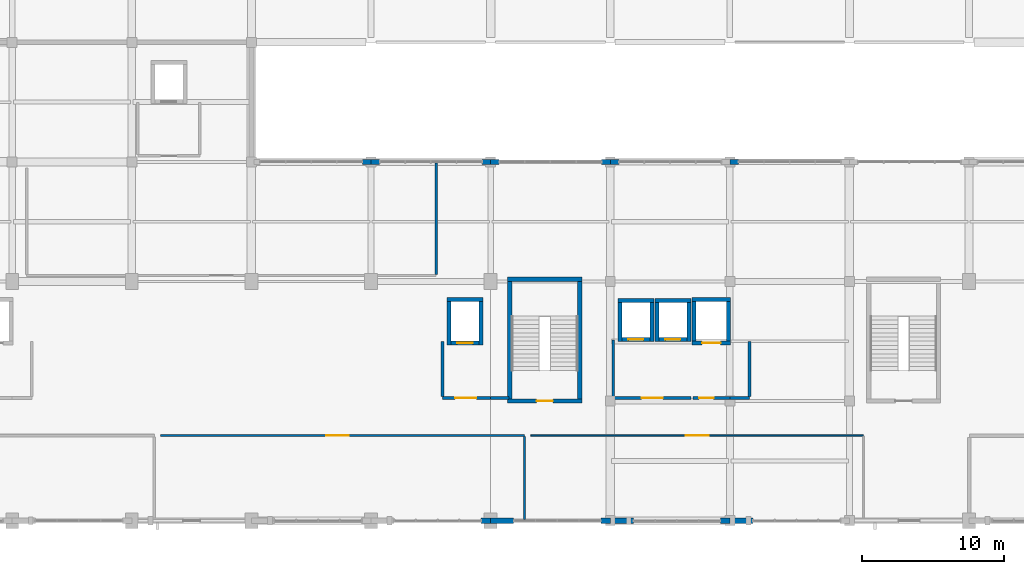
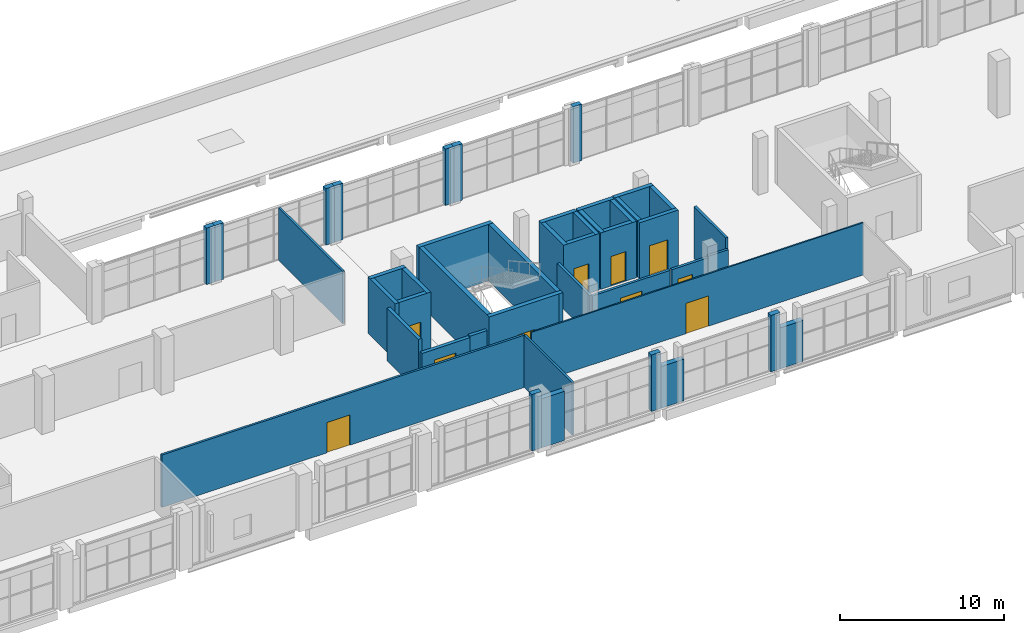
# One storey, part 54 of 64: 45 walls, 10 doors, 10 openings.
"""IFC4 building model written with IfcOpenShell, lengths in metres."""

from ifc_helpers import new_model, si_unit, derived_unit, direction, frame, frame_2d, origin, place, context, subcontext, project, spatial, rectangle, extrude, material, layer, layer_set, type_object, element, fill, save


model = new_model("IFC4")

# Units and contexts
model_context = context("Model", 3, precision=1e-05, world=origin(), true_north=direction((0.0, 1.0)))
body_context = subcontext(model_context, "Body", "Model", "MODEL_VIEW")
ifc_project = project(units=[si_unit("LENGTHUNIT", "METRE"), si_unit("AREAUNIT", "SQUARE_METRE"), si_unit("VOLUMEUNIT", "CUBIC_METRE"), si_unit("PLANEANGLEUNIT", "RADIAN"), si_unit("MASSUNIT", "GRAM", prefix="KILO"), derived_unit("THERMALTRANSMITTANCEUNIT", [(si_unit("POWERUNIT", "WATT"), 1), (si_unit("LENGTHUNIT", "METRE"), -2), (si_unit("THERMODYNAMICTEMPERATUREUNIT", "KELVIN"), -1)])], contexts=[model_context])

# Site, building, storey
site_placement = place(None, origin())
site = spatial("IfcSite", under=ifc_project, at=site_placement, CompositionType="ELEMENT")
building_placement = place(site_placement, origin())
building = spatial("IfcBuilding", under=site, at=building_placement, Name="Barrovel Congress Hotel", CompositionType="ELEMENT")
storey_placement = place(building_placement, frame((0.0, 0.0, 14.10009765625)))
storey = spatial("IfcBuildingStorey", under=building, at=storey_placement, Name="L03", CompositionType="ELEMENT", Elevation=14.10009765625)

# Walls
ifc_material_1 = material(Name="Fired Clay Brick Masonry", Category="masonry")
ifc_layer_1 = layer(ifc_material_1, 0.340087890625)
ifc_layer_set_1 = layer_set([ifc_layer_1], Name="Fired Clay Brick Masonry")
wall_type_1 = type_object("IfcWallType", Name="EW-BRK340", PredefinedType="STANDARD", material=ifc_layer_set_1)
for number, where, z_axis, x_axis, name in (
    (1, (93.0, 29.39990234375, 0.0), (0.0, 0.0, 1.0), (-1.0, 0.0, 0.0), "EW:L03:CSJ-L:11"),
    (2, (84.60009765625, 29.39990234375, 0.0), (0.0, 0.0, 1.0), (-1.0, 0.0, 0.0), "EW:L03:CSJ-L:10"),
    (3, (84.0, 29.39990234375, 0.0), (0.0, 0.0, 1.0), (-1.0, 0.0, 0.0), "EW:L03:CSJ-R:9"),
):
    element("IfcWall", number, at=place(storey_placement, frame(where, z_axis=z_axis, x_axis=x_axis)), inside=storey, type_object=wall_type_1, Name=name, PredefinedType="STANDARD", context=body_context, shape_type="SweptSolid", body=[
        extrude(rectangle(XDim=0.60009765625, YDim=0.340087890625, at=frame_2d((0.300048828125, 0.0))), origin(), (0.0, 0.0, 1.0), 4.199951171875),
    ])
wall_1_placement = place(storey_placement, frame((76.199951171875, 29.39990234375, 0.0), z_axis=(0.0, 0.0, 1.0), x_axis=(-1.0, 0.0, 0.0)))
element("IfcWall", 4, at=wall_1_placement, inside=storey, type_object=wall_type_1, Name="EW:L03:CSJ-L:9", PredefinedType="STANDARD", context=body_context, shape_type="SweptSolid", body=[
    extrude(rectangle(XDim=0.599853515625, YDim=0.340087890625, at=frame_2d((0.2998046875, 0.0))), origin(), (0.0, 0.0, 1.0), 4.199951171875),
])
for number, where, z_axis, x_axis, name in (
    (5, (75.60009765625, 29.39990234375, 0.0), (0.0, 0.0, 1.0), (-1.0, 0.0, 0.0), "EW:L03:CSJ-R:8"),
    (6, (67.800048828125, 29.39990234375, 0.0), (0.0, 0.0, 1.0), (-1.0, 0.0, 0.0), "EW:L03:CSJ-L:8"),
):
    element("IfcWall", number, at=place(storey_placement, frame(where, z_axis=z_axis, x_axis=x_axis)), inside=storey, type_object=wall_type_1, Name=name, PredefinedType="STANDARD", context=body_context, shape_type="SweptSolid", body=[
        extrude(rectangle(XDim=0.60009765625, YDim=0.340087890625, at=frame_2d((0.300048828125, 0.0))), origin(), (0.0, 0.0, 1.0), 4.199951171875),
    ])
wall_2_placement = place(storey_placement, frame((67.199951171875, 29.39990234375, 0.0), z_axis=(0.0, 0.0, 1.0), x_axis=(-1.0, 0.0, 0.0)))
element("IfcWall", 7, at=wall_2_placement, inside=storey, type_object=wall_type_1, Name="EW:L03:CSJ-R:7", PredefinedType="STANDARD", context=body_context, shape_type="SweptSolid", body=[
    extrude(rectangle(XDim=0.599853515625, YDim=0.340087890625, at=frame_2d((0.2998046875, 0.0))), origin(), (0.0, 0.0, 1.0), 4.199951171875),
])
ifc_layer_2 = layer(ifc_material_1, 0.360107421875)
ifc_layer_set_2 = layer_set([ifc_layer_2], Name="Fired Clay Brick Masonry")
wall_type_2 = type_object("IfcWallType", Name="EW-BRK360", PredefinedType="STANDARD", material=ifc_layer_set_2)
wall_3_placement = place(storey_placement, frame((74.93994140625, 4.199951171875, 0.0), z_axis=(0.0, 0.0, 1.0), x_axis=(1.0, 0.0, 0.0)))
element("IfcWall", 8, at=wall_3_placement, inside=storey, type_object=wall_type_2, Name="EW:L03:SJ-R:8", PredefinedType="STANDARD", context=body_context, shape_type="SweptSolid", body=[
    extrude(rectangle(XDim=0.66015625, YDim=0.360107421875, at=frame_2d((0.330078125, 0.0))), origin(), (0.0, 0.0, 1.0), 4.199951171875),
])
wall_4_placement = place(storey_placement, frame((75.60009765625, 4.199951171875, 0.0), z_axis=(0.0, 0.0, 1.0), x_axis=(1.0, 0.0, 0.0)))
element("IfcWall", 9, at=wall_4_placement, inside=storey, type_object=wall_type_2, Name="EW:L03:SJ-L:9", PredefinedType="STANDARD", context=body_context, shape_type="SweptSolid", body=[
    extrude(rectangle(XDim=1.619873046875, YDim=0.360107421875, at=frame_2d((0.81005859375, 0.0))), origin(), (0.0, 0.0, 1.0), 3.65283203125),
])
wall_5_placement = place(storey_placement, frame((83.340087890625, 4.199951171875, 0.0), z_axis=(0.0, 0.0, 1.0), x_axis=(1.0, 0.0, 0.0)))
element("IfcWall", 10, at=wall_5_placement, inside=storey, type_object=wall_type_2, Name="EW:L03:SJ-R:9", PredefinedType="STANDARD", context=body_context, shape_type="SweptSolid", body=[
    extrude(rectangle(XDim=0.659912109375, YDim=0.360107421875, at=frame_2d((0.330078125, 0.0))), origin(), (0.0, 0.0, 1.0), 4.199951171875),
])
wall_6_placement = place(storey_placement, frame((84.0, 4.199951171875, 0.0), z_axis=(0.0, 0.0, 1.0), x_axis=(1.0, 0.0, 0.0)))
element("IfcWall", 11, at=wall_6_placement, inside=storey, type_object=wall_type_2, Name="EW:L03:SJ-L:10", PredefinedType="STANDARD", context=body_context, shape_type="SweptSolid", body=[
    extrude(rectangle(XDim=1.6201171875, YDim=0.360107421875, at=frame_2d((0.81005859375, 0.0))), origin(), (0.0, 0.0, 1.0), 3.099853515625),
])
wall_7_placement = place(storey_placement, frame((91.739990234375, 4.199951171875, 0.0), z_axis=(0.0, 0.0, 1.0), x_axis=(1.0, 0.0, 0.0)))
element("IfcWall", 12, at=wall_7_placement, inside=storey, type_object=wall_type_2, Name="EW:L03:SJ-R:10", PredefinedType="STANDARD", context=body_context, shape_type="SweptSolid", body=[
    extrude(rectangle(XDim=0.659912109375, YDim=0.360107421875, at=frame_2d((0.330078125, 0.0))), origin(), (0.0, 0.0, 1.0), 4.199951171875),
])
wall_8_placement = place(storey_placement, frame((92.39990234375, 4.199951171875, 0.0), z_axis=(0.0, 0.0, 1.0), x_axis=(1.0, 0.0, 0.0)))
element("IfcWall", 13, at=wall_8_placement, inside=storey, type_object=wall_type_2, Name="EW:L03:SJ-L:11", PredefinedType="STANDARD", context=body_context, shape_type="SweptSolid", body=[
    extrude(rectangle(XDim=1.6201171875, YDim=0.360107421875, at=frame_2d((0.81005859375, 0.0))), origin(), (0.0, 0.0, 1.0), 3.0498046875),
])

# Wall, opening, door
ifc_material_2 = material(Name="Gypsum Acoustic Stud", Category="gypsum")
ifc_layer_3 = layer(ifc_material_2, 0.179931640625)
ifc_layer_set_3 = layer_set([ifc_layer_3], Name="Gypsum Acoustic Stud")
wall_type_3 = type_object("IfcWallType", Name="PW-ACU-180", PredefinedType="PARTITIONING", material=ifc_layer_set_3)
wall_9_placement = place(storey_placement, frame((84.219970703125, 12.820068359375, 0.0), z_axis=(0.0, 0.0, 1.0), x_axis=(1.0, 0.0, 0.0)))
wall_9 = element("IfcWall", 14, at=wall_9_placement, inside=storey, type_object=wall_type_3, Name="RW:SP:L03:LL-C2:S", PredefinedType="PARTITIONING", context=body_context, shape_type="SweptSolid", body=[
    extrude(rectangle(XDim=5.4599609375, YDim=0.179931640625, at=frame_2d((2.72998046875, 0.0))), origin(), (0.0, 0.0, 1.0), 3.0),
])
opening_1_placement = place(wall_9_placement, frame((1.97998046875, 0.0, 0.0)))
opening_1 = element("IfcOpeningElement", 15, at=opening_1_placement, cuts=wall_9, Name="Opening ID-FFL", PredefinedType="OPENING", context=body_context, shape_type="SweptSolid", body=[
    extrude(rectangle(XDim=1.5, YDim=2.14990234375, at=frame_2d((0.75, 1.074951171875))), frame((0.0, 0.10009765625, 0.0), z_axis=(0.0, -1.0, 0.0), x_axis=(1.0, 0.0, 0.0)), (0.0, 0.0, 1.0), 0.199951171875),
])
ifc_material_3 = material(Name="Painted Hollow-Metal Steel Door", Category="steel")
door_type_1 = type_object("IfcDoorType", Name="IDR-ID-FFL", OperationType="NOTDEFINED", PredefinedType="DOOR", material=ifc_material_3)
door_1_placement = place(opening_1_placement, origin())
door_1 = element("IfcDoor", 16, at=door_1_placement, inside=storey, type_object=door_type_1, Name="RD:SP:L03:LL-C2", OperationType="DOUBLE_DOOR_SINGLE_SWING", OverallHeight=2.14990234375, OverallWidth=1.5, PredefinedType="DOOR", context=body_context, shape_type="SweptSolid", body=[
    extrude(rectangle(XDim=1.5, YDim=2.14990234375, at=frame_2d((0.75, 1.074951171875))), frame((0.0, 0.02490234375, 0.0), z_axis=(0.0, -1.0, 0.0), x_axis=(1.0, 0.0, 0.0)), (0.0, 0.0, 1.0), 0.050048828125),
])
fill(opening_1, door_1)

# Wall
wall_10_placement = place(storey_placement, frame((84.219970703125, 12.909912109375, 0.0), z_axis=(0.0, 0.0, 1.0), x_axis=(0.0, 1.0, 0.0)))
element("IfcWall", 17, at=wall_10_placement, inside=storey, type_object=wall_type_3, Name="RW:SP:L03:LL-C2:W", PredefinedType="PARTITIONING", context=body_context, shape_type="SweptSolid", body=[
    extrude(rectangle(XDim=3.969970703125, YDim=0.179931640625, at=frame_2d((1.98486328125, 0.0))), origin(), (0.0, 0.0, 1.0), 2.949951171875),
])

# Wall, opening, door
wall_11_placement = place(storey_placement, frame((89.820068359375, 12.820068359375, 0.0), z_axis=(0.0, 0.0, 1.0), x_axis=(1.0, 0.0, 0.0)))
wall_11 = element("IfcWall", 18, at=wall_11_placement, inside=storey, type_object=wall_type_3, Name="RW:SP:L03:LL-SL2:S", PredefinedType="PARTITIONING", context=body_context, shape_type="SweptSolid", body=[
    extrude(rectangle(XDim=2.579833984375, YDim=0.179931640625, at=frame_2d((1.2900390625, 0.0))), origin(), (0.0, 0.0, 1.0), 3.0),
])
opening_2_placement = place(wall_11_placement, frame((0.419921875, 0.0, 0.0)))
opening_2 = element("IfcOpeningElement", 19, at=opening_2_placement, cuts=wall_11, Name="Opening ID-ACC", PredefinedType="OPENING", context=body_context, shape_type="SweptSolid", body=[
    extrude(rectangle(XDim=1.02001953125, YDim=2.14990234375, at=frame_2d((0.510009765625, 1.074951171875))), frame((0.0, 0.10009765625, 0.0), z_axis=(0.0, -1.0, 0.0), x_axis=(1.0, 0.0, 0.0)), (0.0, 0.0, 1.0), 0.199951171875),
])
ifc_material_4 = material(Name="Solid Oak Acoustic Timber Door", Category="wood")
door_type_2 = type_object("IfcDoorType", Name="IDR-ID-ACC", OperationType="NOTDEFINED", PredefinedType="DOOR", material=ifc_material_4)
door_2_placement = place(opening_2_placement, origin())
door_2 = element("IfcDoor", 20, at=door_2_placement, inside=storey, type_object=door_type_2, Name="RD:SP:L03:LL-SL2", OperationType="SINGLE_SWING_LEFT", OverallHeight=2.14990234375, OverallWidth=1.02001953125, PredefinedType="DOOR", context=body_context, shape_type="SweptSolid", body=[
    extrude(rectangle(XDim=1.02001953125, YDim=2.14990234375, at=frame_2d((0.510009765625, 1.074951171875))), frame((0.0, 0.02490234375, 0.0), z_axis=(0.0, -1.0, 0.0), x_axis=(1.0, 0.0, 0.0)), (0.0, 0.0, 1.0), 0.050048828125),
])
fill(opening_2, door_2)

# Walls
wall_12_placement = place(storey_placement, frame((93.780029296875, 12.909912109375, 0.0), z_axis=(0.0, 0.0, 1.0), x_axis=(0.0, 1.0, 0.0)))
element("IfcWall", 21, at=wall_12_placement, inside=storey, type_object=wall_type_3, Name="RW:SP:L03:LL-SL2:E", PredefinedType="PARTITIONING", context=body_context, shape_type="SweptSolid", body=[
    extrude(rectangle(XDim=3.8701171875, YDim=0.179931640625, at=frame_2d((1.93505859375, 0.0))), origin(), (0.0, 0.0, 1.0), 3.89501953125),
])
wall_13_placement = place(storey_placement, frame((92.39990234375, 12.820068359375, 0.0), z_axis=(0.0, 0.0, 1.0), x_axis=(1.0, 0.0, 0.0)))
element("IfcWall", 22, at=wall_13_placement, inside=storey, type_object=wall_type_3, Name="RW:SP:L03:LL-SL2:S:P02", PredefinedType="PARTITIONING", context=body_context, shape_type="SweptSolid", body=[
    extrude(rectangle(XDim=1.380126953125, YDim=0.179931640625, at=frame_2d((0.68994140625, 0.0))), origin(), (0.0, 0.0, 1.0), 3.099853515625),
])

# Wall, opening, door
ifc_layer_4 = layer(ifc_material_2, 0.10009765625)
ifc_layer_set_4 = layer_set([ifc_layer_4], Name="Gypsum Acoustic Stud")
wall_type_4 = type_object("IfcWallType", Name="PW-LGT-100", PredefinedType="PARTITIONING", material=ifc_layer_set_4)
wall_14_placement = place(storey_placement, frame((78.419921875, 10.179931640625, 0.0), z_axis=(0.0, 0.0, 1.0), x_axis=(1.0, 0.0, 0.0)))
wall_14 = element("IfcWall", 23, at=wall_14_placement, inside=storey, type_object=wall_type_4, Name="RW:SP:L03:EXEC-3:N", PredefinedType="PARTITIONING", context=body_context, shape_type="SweptSolid", body=[
    extrude(rectangle(XDim=23.360107421875, YDim=0.10009765625, at=frame_2d((11.68017578125, 0.0))), origin(), (0.0, 0.0, 1.0), 3.89501953125),
])
opening_3_placement = place(wall_14_placement, frame((10.8798828125, 0.0, 0.0)))
opening_3 = element("IfcOpeningElement", 24, at=opening_3_placement, cuts=wall_14, Name="Opening ID-MTG", PredefinedType="OPENING", context=body_context, shape_type="SweptSolid", body=[
    extrude(rectangle(XDim=1.60009765625, YDim=2.25, at=frame_2d((0.800048828125, 1.125))), frame((0.0, 0.06005859375, 0.0), z_axis=(0.0, -1.0, 0.0), x_axis=(1.0, 0.0, 0.0)), (0.0, 0.0, 1.0), 0.1201171875),
])
door_type_3 = type_object("IfcDoorType", Name="IDR-ID-MTG", OperationType="NOTDEFINED", PredefinedType="DOOR", material=ifc_material_4)
door_3_placement = place(opening_3_placement, origin())
door_3 = element("IfcDoor", 25, at=door_3_placement, inside=storey, type_object=door_type_3, Name="RD:SP:L03:EXEC-3", OperationType="DOUBLE_DOOR_SINGLE_SWING", OverallHeight=2.25, OverallWidth=1.60009765625, PredefinedType="DOOR", context=body_context, shape_type="SweptSolid", body=[
    extrude(rectangle(XDim=1.60009765625, YDim=2.25, at=frame_2d((0.800048828125, 1.125))), frame((0.0, 0.02490234375, 0.0), z_axis=(0.0, -1.0, 0.0), x_axis=(1.0, 0.0, 0.0)), (0.0, 0.0, 1.0), 0.050048828125),
])
fill(opening_3, door_3)

ifc_layer_5 = layer(ifc_material_1, 0.239990234375)
ifc_layer_set_5 = layer_set([ifc_layer_5], Name="Fired Clay Brick Masonry")
wall_type_5 = type_object("IfcWallType", Name="PW-MAS-240", PredefinedType="PARTITIONING", material=ifc_layer_set_5)
wall_15_placement = place(storey_placement, frame((72.219970703125, 12.820068359375, 0.0), z_axis=(0.0, 0.0, 1.0), x_axis=(1.0, 0.0, 0.0)))
wall_15 = element("IfcWall", 26, at=wall_15_placement, inside=storey, type_object=wall_type_5, Name="RW:SP:L03:FFL-2:S", PredefinedType="PARTITIONING", context=body_context, shape_type="SweptSolid", body=[
    extrude(rectangle(XDim=3.380126953125, YDim=0.239990234375, at=frame_2d((1.68994140625, 0.0))), origin(), (0.0, 0.0, 1.0), 2.949951171875),
])
opening_4_placement = place(wall_15_placement, frame((0.8798828125, 0.0, 0.0)))
opening_4 = element("IfcOpeningElement", 27, at=opening_4_placement, cuts=wall_15, Name="Opening ID-FFL", PredefinedType="OPENING", context=body_context, shape_type="SweptSolid", body=[
    extrude(rectangle(XDim=1.5, YDim=2.14990234375, at=frame_2d((0.75, 1.074951171875))), frame((0.0, 0.1298828125, 0.0), z_axis=(0.0, -1.0, 0.0), x_axis=(1.0, 0.0, 0.0)), (0.0, 0.0, 1.0), 0.260009765625),
])
door_4_placement = place(opening_4_placement, origin())
door_4 = element("IfcDoor", 28, at=door_4_placement, inside=storey, type_object=door_type_1, Name="RD:SP:L03:FFL-2", OperationType="DOUBLE_DOOR_SINGLE_SWING", OverallHeight=2.14990234375, OverallWidth=1.5, PredefinedType="DOOR", context=body_context, shape_type="SweptSolid", body=[
    extrude(rectangle(XDim=1.5, YDim=2.14990234375, at=frame_2d((0.75, 1.074951171875))), frame((0.0, 0.02490234375, 0.0), z_axis=(0.0, -1.0, 0.0), x_axis=(1.0, 0.0, 0.0)), (0.0, 0.0, 1.0), 0.050048828125),
])
fill(opening_4, door_4)

# Walls
wall_16_placement = place(storey_placement, frame((72.219970703125, 12.93994140625, 0.0), z_axis=(0.0, 0.0, 1.0), x_axis=(0.0, 1.0, 0.0)))
element("IfcWall", 29, at=wall_16_placement, inside=storey, type_object=wall_type_5, Name="RW:SP:L03:FFL-2:W", PredefinedType="PARTITIONING", context=body_context, shape_type="SweptSolid", body=[
    extrude(rectangle(XDim=3.840087890625, YDim=0.239990234375, at=frame_2d((1.919921875, 0.0))), origin(), (0.0, 0.0, 1.0), 3.89501953125),
])
wall_17_placement = place(storey_placement, frame((75.60009765625, 12.820068359375, 0.0), z_axis=(0.0, 0.0, 1.0), x_axis=(1.0, 0.0, 0.0)))
element("IfcWall", 30, at=wall_17_placement, inside=storey, type_object=wall_type_5, Name="RW:SP:L03:FFL-2:S:P02", PredefinedType="PARTITIONING", context=body_context, shape_type="SweptSolid", body=[
    extrude(rectangle(XDim=1.27978515625, YDim=0.239990234375, at=frame_2d((0.639892578125, 0.0))), origin(), (0.0, 0.0, 1.0), 3.0498046875),
])

# Wall, opening, door
ifc_layer_6 = layer(ifc_material_2, 0.14990234375)
ifc_layer_set_6 = layer_set([ifc_layer_6], Name="Gypsum Acoustic Stud")
wall_type_6 = type_object("IfcWallType", Name="PW-STD-150", PredefinedType="PARTITIONING", material=ifc_layer_set_6)
wall_18_placement = place(storey_placement, frame((52.419921875, 10.179931640625, 0.0), z_axis=(0.0, 0.0, 1.0), x_axis=(1.0, 0.0, 0.0)))
wall_18 = element("IfcWall", 31, at=wall_18_placement, inside=storey, type_object=wall_type_6, Name="RW:SP:L03:EXEC-2:N", PredefinedType="PARTITIONING", context=body_context, shape_type="SweptSolid", body=[
    extrude(rectangle(XDim=25.56005859375, YDim=0.14990234375, at=frame_2d((12.780029296875, 0.0))), origin(), (0.0, 0.0, 1.0), 3.89501953125),
])
opening_5_placement = place(wall_18_placement, frame((11.6298828125, 0.0, 0.0)))
opening_5 = element("IfcOpeningElement", 32, at=opening_5_placement, cuts=wall_18, Name="Opening ID-MTG", PredefinedType="OPENING", context=body_context, shape_type="SweptSolid", body=[
    extrude(rectangle(XDim=1.60009765625, YDim=2.25, at=frame_2d((0.800048828125, 1.125))), frame((0.0, 0.0849609375, 0.0), z_axis=(0.0, -1.0, 0.0), x_axis=(1.0, 0.0, 0.0)), (0.0, 0.0, 1.0), 0.169921875),
])
door_5_placement = place(opening_5_placement, origin())
door_5 = element("IfcDoor", 33, at=door_5_placement, inside=storey, type_object=door_type_3, Name="RD:SP:L03:EXEC-2", OperationType="DOUBLE_DOOR_SINGLE_SWING", OverallHeight=2.25, OverallWidth=1.60009765625, PredefinedType="DOOR", context=body_context, shape_type="SweptSolid", body=[
    extrude(rectangle(XDim=1.60009765625, YDim=2.25, at=frame_2d((0.800048828125, 1.125))), frame((0.0, 0.02490234375, 0.0), z_axis=(0.0, -1.0, 0.0), x_axis=(1.0, 0.0, 0.0)), (0.0, 0.0, 1.0), 0.050048828125),
])
fill(opening_5, door_5)

# Walls
wall_19_placement = place(storey_placement, frame((77.97998046875, 4.280029296875, 0.0), z_axis=(0.0, 0.0, 1.0), x_axis=(0.0, 1.0, 0.0)))
element("IfcWall", 34, at=wall_19_placement, inside=storey, type_object=wall_type_6, Name="RW:SP:L03:EXEC-2:E", PredefinedType="PARTITIONING", context=body_context, shape_type="SweptSolid", body=[
    extrude(rectangle(XDim=5.824951171875, YDim=0.14990234375, at=frame_2d((2.91259765625, 0.0))), origin(), (0.0, 0.0, 1.0), 3.89501953125),
])
wall_20_placement = place(storey_placement, frame((71.780029296875, 21.4951171875, 0.0), z_axis=(0.0, 0.0, 1.0), x_axis=(0.0, 1.0, 0.0)))
element("IfcWall", 35, at=wall_20_placement, inside=storey, type_object=wall_type_6, Name="RW:SP:L03:ADM-OF:E", PredefinedType="PARTITIONING", context=body_context, shape_type="SweptSolid", body=[
    extrude(rectangle(XDim=7.824951171875, YDim=0.14990234375, at=frame_2d((3.91259765625, 0.0))), origin(), (0.0, 0.0, 1.0), 3.89501953125),
])

# Wall, opening, door
ifc_material_5 = material(Name="Concrete C40", Category="concrete")
ifc_layer_7 = layer(ifc_material_5, 0.280029296875)
ifc_layer_set_7 = layer_set([ifc_layer_7], Name="Concrete C40")
wall_type_7 = type_object("IfcWallType", Name="SW-C40-280", PredefinedType="SHEAR", material=ifc_layer_set_7)
wall_21_placement = place(storey_placement, frame((72.5400390625, 16.679931640625, 0.0), z_axis=(0.0, 0.0, 1.0), x_axis=(1.0, 0.0, 0.0)))
wall_21 = element("IfcWall", 36, at=wall_21_placement, inside=storey, type_object=wall_type_7, Name="LSH:FL-2:L03:S", PredefinedType="SHEAR", context=body_context, shape_type="SweptSolid", body=[
    extrude(rectangle(XDim=2.52001953125, YDim=0.280029296875, at=frame_2d((1.260009765625, 0.0))), origin(), (0.0, 0.0, 1.0), 4.199951171875),
])
opening_6_placement = place(wall_21_placement, frame((0.7099609375, 0.0, 0.0)))
opening_6 = element("IfcOpeningElement", 37, at=opening_6_placement, cuts=wall_21, Name="Opening LD-FF", PredefinedType="OPENING", context=body_context, shape_type="SweptSolid", body=[
    extrude(rectangle(XDim=1.10009765625, YDim=2.199951171875, at=frame_2d((0.550048828125, 1.10009765625))), frame((0.0, 0.14990234375, 0.0), z_axis=(0.0, -1.0, 0.0), x_axis=(1.0, 0.0, 0.0)), (0.0, 0.0, 1.0), 0.300048828125),
])
ifc_material_6 = material(Name="Brushed Stainless Steel", Category="steel")
door_type_4 = type_object("IfcDoorType", Name="IDR-LD-FF", OperationType="NOTDEFINED", PredefinedType="DOOR", material=ifc_material_6)
door_6_placement = place(opening_6_placement, origin())
door_6 = element("IfcDoor", 38, at=door_6_placement, inside=storey, type_object=door_type_4, Name="Lift Landing Door LD-FL-2-L03", OperationType="SLIDING_TO_LEFT", OverallHeight=2.199951171875, OverallWidth=1.10009765625, PredefinedType="DOOR", context=body_context, shape_type="SweptSolid", body=[
    extrude(rectangle(XDim=1.10009765625, YDim=2.199951171875, at=frame_2d((0.550048828125, 1.10009765625))), frame((0.0, 0.02490234375, 0.0), z_axis=(0.0, -1.0, 0.0), x_axis=(1.0, 0.0, 0.0)), (0.0, 0.0, 1.0), 0.050048828125),
])
fill(opening_6, door_6)

# Walls
wall_22_placement = place(storey_placement, frame((74.919921875, 16.5400390625, 0.0), z_axis=(0.0, 0.0, 1.0), x_axis=(0.0, 1.0, 0.0)))
element("IfcWall", 39, at=wall_22_placement, inside=storey, type_object=wall_type_7, Name="LSH:FL-2:L03:E", PredefinedType="SHEAR", context=body_context, shape_type="SweptSolid", body=[
    extrude(rectangle(XDim=3.320068359375, YDim=0.280029296875, at=frame_2d((1.66015625, 0.0))), origin(), (0.0, 0.0, 1.0), 4.199951171875),
])
wall_23_placement = place(storey_placement, frame((75.06005859375, 19.719970703125, 0.0), z_axis=(0.0, 0.0, 1.0), x_axis=(-1.0, 0.0, 0.0)))
element("IfcWall", 40, at=wall_23_placement, inside=storey, type_object=wall_type_7, Name="LSH:FL-2:L03:N", PredefinedType="SHEAR", context=body_context, shape_type="SweptSolid", body=[
    extrude(rectangle(XDim=2.52001953125, YDim=0.280029296875, at=frame_2d((1.260009765625, 0.0))), origin(), (0.0, 0.0, 1.0), 4.199951171875),
])
wall_24_placement = place(storey_placement, frame((72.679931640625, 19.860107421875, 0.0), z_axis=(0.0, 0.0, 1.0), x_axis=(0.0, -1.0, 0.0)))
element("IfcWall", 41, at=wall_24_placement, inside=storey, type_object=wall_type_7, Name="LSH:FL-2:L03:W", PredefinedType="SHEAR", context=body_context, shape_type="SweptSolid", body=[
    extrude(rectangle(XDim=3.320068359375, YDim=0.280029296875, at=frame_2d((1.66015625, 0.0))), origin(), (0.0, 0.0, 1.0), 4.199951171875),
])

# Wall, opening, door
wall_25_placement = place(storey_placement, frame((84.5400390625, 16.929931640625, 0.0), z_axis=(0.0, 0.0, 1.0), x_axis=(1.0, 0.0, 0.0)))
wall_25 = element("IfcWall", 42, at=wall_25_placement, inside=storey, type_object=wall_type_7, Name="LSH:PL-3:L03:S", PredefinedType="SHEAR", context=body_context, shape_type="SweptSolid", body=[
    extrude(rectangle(XDim=2.52001953125, YDim=0.280029296875, at=frame_2d((1.260009765625, 0.0))), origin(), (0.0, 0.0, 1.0), 4.199951171875),
])
opening_7_placement = place(wall_25_placement, frame((0.735107421875, 0.0, 0.0)))
opening_7 = element("IfcOpeningElement", 43, at=opening_7_placement, cuts=wall_25, Name="Opening LD-PAX", PredefinedType="OPENING", context=body_context, shape_type="SweptSolid", body=[
    extrude(rectangle(XDim=1.050048828125, YDim=2.199951171875, at=frame_2d((0.52490234375, 1.10009765625))), frame((0.0, 0.14990234375, 0.0), z_axis=(0.0, -1.0, 0.0), x_axis=(1.0, 0.0, 0.0)), (0.0, 0.0, 1.0), 0.300048828125),
])
door_type_5 = type_object("IfcDoorType", Name="IDR-LD-PAX", OperationType="NOTDEFINED", PredefinedType="DOOR", material=ifc_material_6)
door_7_placement = place(opening_7_placement, origin())
door_7 = element("IfcDoor", 44, at=door_7_placement, inside=storey, type_object=door_type_5, Name="Lift Landing Door LD-PL-3-L03", OperationType="SLIDING_TO_LEFT", OverallHeight=2.199951171875, OverallWidth=1.050048828125, PredefinedType="DOOR", context=body_context, shape_type="SweptSolid", body=[
    extrude(rectangle(XDim=1.050048828125, YDim=2.199951171875, at=frame_2d((0.52490234375, 1.10009765625))), frame((0.0, 0.02490234375, 0.0), z_axis=(0.0, -1.0, 0.0), x_axis=(1.0, 0.0, 0.0)), (0.0, 0.0, 1.0), 0.050048828125),
])
fill(opening_7, door_7)

# Walls
wall_26_placement = place(storey_placement, frame((86.919921875, 16.7900390625, 0.0), z_axis=(0.0, 0.0, 1.0), x_axis=(0.0, 1.0, 0.0)))
element("IfcWall", 45, at=wall_26_placement, inside=storey, type_object=wall_type_7, Name="LSH:PL-3:L03:E", PredefinedType="SHEAR", context=body_context, shape_type="SweptSolid", body=[
    extrude(rectangle(XDim=3.02001953125, YDim=0.280029296875, at=frame_2d((1.510009765625, 0.0))), origin(), (0.0, 0.0, 1.0), 4.199951171875),
])
wall_27_placement = place(storey_placement, frame((87.06005859375, 19.669921875, 0.0), z_axis=(0.0, 0.0, 1.0), x_axis=(-1.0, 0.0, 0.0)))
element("IfcWall", 46, at=wall_27_placement, inside=storey, type_object=wall_type_7, Name="LSH:PL-3:L03:N", PredefinedType="SHEAR", context=body_context, shape_type="SweptSolid", body=[
    extrude(rectangle(XDim=2.52001953125, YDim=0.280029296875, at=frame_2d((1.260009765625, 0.0))), origin(), (0.0, 0.0, 1.0), 4.199951171875),
])
wall_28_placement = place(storey_placement, frame((84.679931640625, 19.81005859375, 0.0), z_axis=(0.0, 0.0, 1.0), x_axis=(0.0, -1.0, 0.0)))
element("IfcWall", 47, at=wall_28_placement, inside=storey, type_object=wall_type_7, Name="LSH:PL-3:L03:W", PredefinedType="SHEAR", context=body_context, shape_type="SweptSolid", body=[
    extrude(rectangle(XDim=3.02001953125, YDim=0.280029296875, at=frame_2d((1.510009765625, 0.0))), origin(), (0.0, 0.0, 1.0), 4.199951171875),
])

# Wall, opening, door
wall_29_placement = place(storey_placement, frame((87.139892578125, 16.929931640625, 0.0), z_axis=(0.0, 0.0, 1.0), x_axis=(1.0, 0.0, 0.0)))
wall_29 = element("IfcWall", 48, at=wall_29_placement, inside=storey, type_object=wall_type_7, Name="LSH:PL-4:L03:S", PredefinedType="SHEAR", context=body_context, shape_type="SweptSolid", body=[
    extrude(rectangle(XDim=2.52001953125, YDim=0.280029296875, at=frame_2d((1.260009765625, 0.0))), origin(), (0.0, 0.0, 1.0), 4.199951171875),
])
opening_8_placement = place(wall_29_placement, frame((0.735107421875, 0.0, 0.0)))
opening_8 = element("IfcOpeningElement", 49, at=opening_8_placement, cuts=wall_29, Name="Opening LD-PAX", PredefinedType="OPENING", context=body_context, shape_type="SweptSolid", body=[
    extrude(rectangle(XDim=1.050048828125, YDim=2.199951171875, at=frame_2d((0.52490234375, 1.10009765625))), frame((0.0, 0.14990234375, 0.0), z_axis=(0.0, -1.0, 0.0), x_axis=(1.0, 0.0, 0.0)), (0.0, 0.0, 1.0), 0.300048828125),
])
door_8_placement = place(opening_8_placement, origin())
door_8 = element("IfcDoor", 50, at=door_8_placement, inside=storey, type_object=door_type_5, Name="Lift Landing Door LD-PL-4-L03", OperationType="SLIDING_TO_LEFT", OverallHeight=2.199951171875, OverallWidth=1.050048828125, PredefinedType="DOOR", context=body_context, shape_type="SweptSolid", body=[
    extrude(rectangle(XDim=1.050048828125, YDim=2.199951171875, at=frame_2d((0.52490234375, 1.10009765625))), frame((0.0, 0.02490234375, 0.0), z_axis=(0.0, -1.0, 0.0), x_axis=(1.0, 0.0, 0.0)), (0.0, 0.0, 1.0), 0.050048828125),
])
fill(opening_8, door_8)

# Walls
wall_30_placement = place(storey_placement, frame((89.52001953125, 16.7900390625, 0.0), z_axis=(0.0, 0.0, 1.0), x_axis=(0.0, 1.0, 0.0)))
element("IfcWall", 51, at=wall_30_placement, inside=storey, type_object=wall_type_7, Name="LSH:PL-4:L03:E", PredefinedType="SHEAR", context=body_context, shape_type="SweptSolid", body=[
    extrude(rectangle(XDim=3.02001953125, YDim=0.280029296875, at=frame_2d((1.510009765625, 0.0))), origin(), (0.0, 0.0, 1.0), 4.199951171875),
])
wall_31_placement = place(storey_placement, frame((89.659912109375, 19.669921875, 0.0), z_axis=(0.0, 0.0, 1.0), x_axis=(-1.0, 0.0, 0.0)))
element("IfcWall", 52, at=wall_31_placement, inside=storey, type_object=wall_type_7, Name="LSH:PL-4:L03:N", PredefinedType="SHEAR", context=body_context, shape_type="SweptSolid", body=[
    extrude(rectangle(XDim=2.52001953125, YDim=0.280029296875, at=frame_2d((1.260009765625, 0.0))), origin(), (0.0, 0.0, 1.0), 4.199951171875),
])
wall_32_placement = place(storey_placement, frame((87.280029296875, 19.81005859375, 0.0), z_axis=(0.0, 0.0, 1.0), x_axis=(0.0, -1.0, 0.0)))
element("IfcWall", 53, at=wall_32_placement, inside=storey, type_object=wall_type_7, Name="LSH:PL-4:L03:W", PredefinedType="SHEAR", context=body_context, shape_type="SweptSolid", body=[
    extrude(rectangle(XDim=3.02001953125, YDim=0.280029296875, at=frame_2d((1.510009765625, 0.0))), origin(), (0.0, 0.0, 1.0), 4.199951171875),
])

# Wall, opening, door
wall_33_placement = place(storey_placement, frame((89.739990234375, 16.679931640625, 0.0), z_axis=(0.0, 0.0, 1.0), x_axis=(1.0, 0.0, 0.0)))
wall_33 = element("IfcWall", 54, at=wall_33_placement, inside=storey, type_object=wall_type_7, Name="LSH:SL-2:L03:S", PredefinedType="SHEAR", context=body_context, shape_type="SweptSolid", body=[
    extrude(rectangle(XDim=2.719970703125, YDim=0.280029296875, at=frame_2d((1.35986328125, 0.0))), origin(), (0.0, 0.0, 1.0), 4.199951171875),
])
opening_9_placement = place(wall_33_placement, frame((0.7099609375, 0.0, 0.0)))
opening_9 = element("IfcOpeningElement", 55, at=opening_9_placement, cuts=wall_33, Name="Opening LD-SRV", PredefinedType="OPENING", context=body_context, shape_type="SweptSolid", body=[
    extrude(rectangle(XDim=1.300048828125, YDim=2.25, at=frame_2d((0.64990234375, 1.125))), frame((0.0, 0.14990234375, 0.0), z_axis=(0.0, -1.0, 0.0), x_axis=(1.0, 0.0, 0.0)), (0.0, 0.0, 1.0), 0.300048828125),
])
door_type_6 = type_object("IfcDoorType", Name="IDR-LD-SRV", OperationType="NOTDEFINED", PredefinedType="DOOR", material=ifc_material_6)
door_9_placement = place(opening_9_placement, origin())
door_9 = element("IfcDoor", 56, at=door_9_placement, inside=storey, type_object=door_type_6, Name="Lift Landing Door LD-SL-2-L03", OperationType="SLIDING_TO_LEFT", OverallHeight=2.25, OverallWidth=1.300048828125, PredefinedType="DOOR", context=body_context, shape_type="SweptSolid", body=[
    extrude(rectangle(XDim=1.300048828125, YDim=2.25, at=frame_2d((0.64990234375, 1.125))), frame((0.0, 0.02490234375, 0.0), z_axis=(0.0, -1.0, 0.0), x_axis=(1.0, 0.0, 0.0)), (0.0, 0.0, 1.0), 0.050048828125),
])
fill(opening_9, door_9)

# Walls
wall_34_placement = place(storey_placement, frame((92.320068359375, 16.5400390625, 0.0), z_axis=(0.0, 0.0, 1.0), x_axis=(0.0, 1.0, 0.0)))
element("IfcWall", 57, at=wall_34_placement, inside=storey, type_object=wall_type_7, Name="LSH:SL-2:L03:E", PredefinedType="SHEAR", context=body_context, shape_type="SweptSolid", body=[
    extrude(rectangle(XDim=3.320068359375, YDim=0.280029296875, at=frame_2d((1.66015625, 0.0))), origin(), (0.0, 0.0, 1.0), 4.199951171875),
])
wall_35_placement = place(storey_placement, frame((92.4599609375, 19.719970703125, 0.0), z_axis=(0.0, 0.0, 1.0), x_axis=(-1.0, 0.0, 0.0)))
element("IfcWall", 58, at=wall_35_placement, inside=storey, type_object=wall_type_7, Name="LSH:SL-2:L03:N", PredefinedType="SHEAR", context=body_context, shape_type="SweptSolid", body=[
    extrude(rectangle(XDim=2.719970703125, YDim=0.280029296875, at=frame_2d((1.35986328125, 0.0))), origin(), (0.0, 0.0, 1.0), 4.199951171875),
])
wall_36_placement = place(storey_placement, frame((89.8798828125, 19.860107421875, 0.0), z_axis=(0.0, 0.0, 1.0), x_axis=(0.0, -1.0, 0.0)))
element("IfcWall", 59, at=wall_36_placement, inside=storey, type_object=wall_type_7, Name="LSH:SL-2:L03:W", PredefinedType="SHEAR", context=body_context, shape_type="SweptSolid", body=[
    extrude(rectangle(XDim=3.320068359375, YDim=0.280029296875, at=frame_2d((1.66015625, 0.0))), origin(), (0.0, 0.0, 1.0), 4.199951171875),
])

# Wall, opening, door
ifc_layer_8 = layer(ifc_material_5, 0.300048828125)
ifc_layer_set_8 = layer_set([ifc_layer_8], Name="Concrete C40")
wall_type_8 = type_object("IfcWallType", Name="SW-C40-300", PredefinedType="SHEAR", material=ifc_layer_set_8)
wall_37_placement = place(storey_placement, frame((76.800048828125, 12.610107421875, 0.0), z_axis=(0.0, 0.0, 1.0), x_axis=(1.0, 0.0, 0.0)))
wall_37 = element("IfcWall", 60, at=wall_37_placement, inside=storey, type_object=wall_type_8, Name="SHW:XS-02:L03:S", PredefinedType="SHEAR", context=body_context, shape_type="SweptSolid", body=[
    extrude(rectangle(XDim=5.199951171875, YDim=0.300048828125, at=frame_2d((2.60009765625, 0.0))), origin(), (0.0, 0.0, 1.0), 4.199951171875),
])
opening_10_placement = place(wall_37_placement, frame((2.02490234375, 0.0, 0.0)))
opening_10 = element("IfcOpeningElement", 61, at=opening_10_placement, cuts=wall_37, Name="Opening ID-ST1", PredefinedType="OPENING", context=body_context, shape_type="SweptSolid", body=[
    extrude(rectangle(XDim=1.14990234375, YDim=2.14990234375, at=frame_2d((0.574951171875, 1.074951171875))), frame((0.0, 0.16015625, 0.0), z_axis=(0.0, -1.0, 0.0), x_axis=(1.0, 0.0, 0.0)), (0.0, 0.0, 1.0), 0.320068359375),
])
door_type_7 = type_object("IfcDoorType", Name="IDR-ID-ST1", OperationType="NOTDEFINED", PredefinedType="DOOR", material=ifc_material_3)
door_10_placement = place(opening_10_placement, origin())
door_10 = element("IfcDoor", 62, at=door_10_placement, inside=storey, type_object=door_type_7, Name="Stair Core Fire Door XS-02-L03", OperationType="SINGLE_SWING_RIGHT", OverallHeight=2.14990234375, OverallWidth=1.14990234375, PredefinedType="DOOR", context=body_context, shape_type="SweptSolid", body=[
    extrude(rectangle(XDim=1.14990234375, YDim=2.14990234375, at=frame_2d((0.574951171875, 1.074951171875))), frame((0.0, 0.02490234375, 0.0), z_axis=(0.0, -1.0, 0.0), x_axis=(1.0, 0.0, 0.0)), (0.0, 0.0, 1.0), 0.050048828125),
])
fill(opening_10, door_10)

# Walls
wall_38_placement = place(storey_placement, frame((81.85009765625, 12.4599609375, 0.0), z_axis=(0.0, 0.0, 1.0), x_axis=(0.0, 1.0, 0.0)))
element("IfcWall", 63, at=wall_38_placement, inside=storey, type_object=wall_type_8, Name="SHW:XS-02:L03:E", PredefinedType="SHEAR", context=body_context, shape_type="SweptSolid", body=[
    extrude(rectangle(XDim=8.840087890625, YDim=0.300048828125, at=frame_2d((4.419921875, 0.0))), origin(), (0.0, 0.0, 1.0), 4.199951171875),
])
wall_39_placement = place(storey_placement, frame((82.0, 21.14990234375, 0.0), z_axis=(0.0, 0.0, 1.0), x_axis=(-1.0, 0.0, 0.0)))
element("IfcWall", 64, at=wall_39_placement, inside=storey, type_object=wall_type_8, Name="SHW:XS-02:L03:N", PredefinedType="SHEAR", context=body_context, shape_type="SweptSolid", body=[
    extrude(rectangle(XDim=5.199951171875, YDim=0.300048828125, at=frame_2d((2.60009765625, 0.0))), origin(), (0.0, 0.0, 1.0), 4.199951171875),
])
wall_40_placement = place(storey_placement, frame((76.949951171875, 21.300048828125, 0.0), z_axis=(0.0, 0.0, 1.0), x_axis=(0.0, -1.0, 0.0)))
element("IfcWall", 65, at=wall_40_placement, inside=storey, type_object=wall_type_8, Name="SHW:XS-02:L03:W", PredefinedType="SHEAR", context=body_context, shape_type="SweptSolid", body=[
    extrude(rectangle(XDim=8.840087890625, YDim=0.300048828125, at=frame_2d((4.419921875, 0.0))), origin(), (0.0, 0.0, 1.0), 4.199951171875),
])

save(model, "model.ifc")
